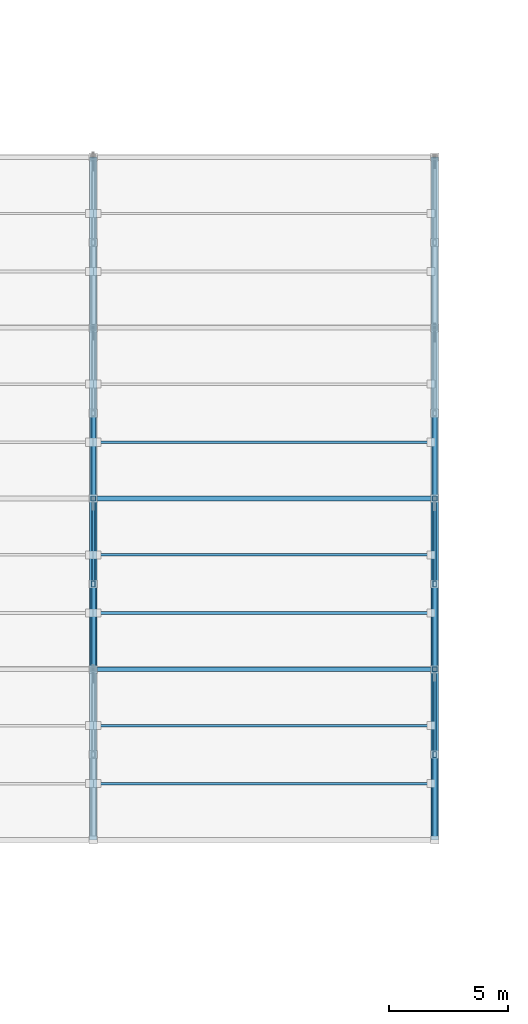
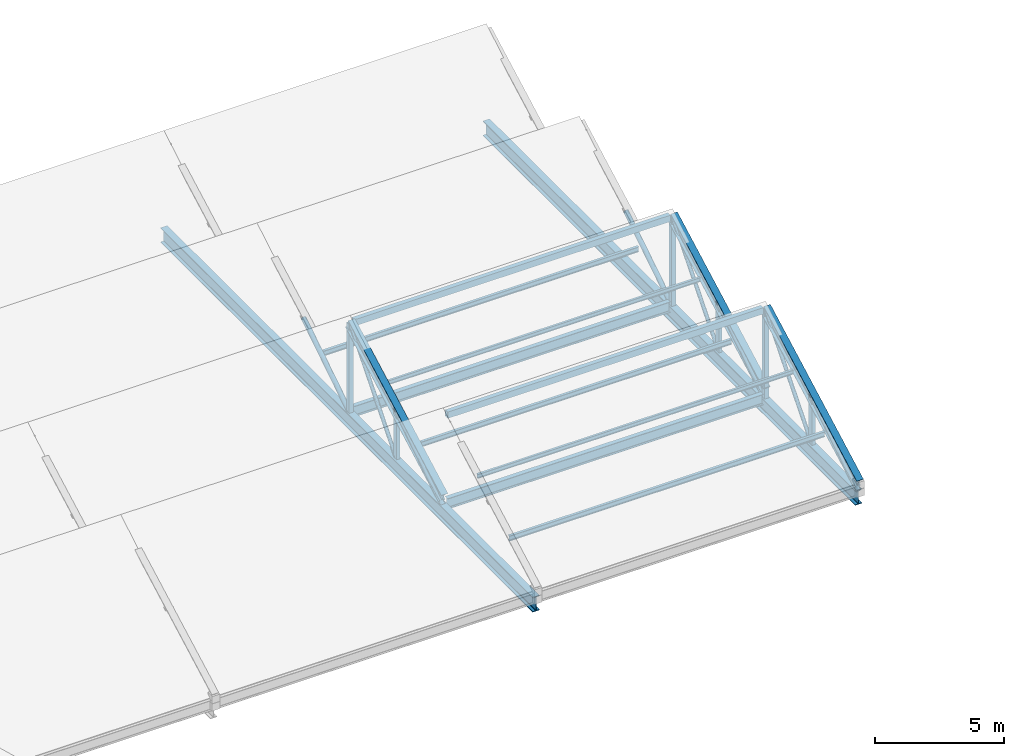
# One storey, part 17 of 51: 24 members, 4 beams.
"""IFC4 building model written with IfcOpenShell, lengths in metres."""

from ifc_helpers import new_model, si_unit, direction, frame, origin, origin_2d, place, context, subcontext, project, spatial, hollow_rectangle, hollow_circle, i_section, extrude, material, material_profile, profile_set, type_object, element, save


model = new_model("IFC4")

# Units and contexts
model_context = context("Model", 3, precision=1e-05, world=origin(), true_north=direction((0.0, 1.0)))
body_context = subcontext(model_context, "Body", "Model", "MODEL_VIEW")
ifc_project = project(units=[si_unit("LENGTHUNIT", "METRE"), si_unit("AREAUNIT", "SQUARE_METRE"), si_unit("VOLUMEUNIT", "CUBIC_METRE"), si_unit("PLANEANGLEUNIT", "RADIAN"), si_unit("MASSUNIT", "GRAM", prefix="KILO")], contexts=[model_context])

# Site, building, storey
site_placement = place(None, origin())
site = spatial("IfcSite", under=ifc_project, at=site_placement, CompositionType="ELEMENT")
building_placement = place(site_placement, origin())
building = spatial("IfcBuilding", under=site, at=building_placement, Name="Valkovuoma Quantum and Materials Research Institute", CompositionType="ELEMENT")
storey_placement = place(building_placement, frame((0.0, 0.0, 17.280029296875)))
storey = spatial("IfcBuildingStorey", under=building, at=storey_placement, Name="L04", CompositionType="ELEMENT", Elevation=17.280029296875)

# Beams
ifc_material_1 = material(Name="Steel S355J2", Category="steel")
ifc_material_profile_1 = material_profile(ifc_material_1, i_section(OverallWidth=0.300048828125, OverallDepth=0.699951171875, WebThickness=0.01708984375, FlangeThickness=0.031982421875, FilletRadius=0.027099609375, at=origin_2d()), Name="Steel S355J2")
ifc_profile_set_1 = profile_set([ifc_material_profile_1], Name="Steel S355J2")
beam_type_1 = type_object("IfcBeamType", Name="Beam-B-HEB700", PredefinedType="BEAM", material=ifc_profile_set_1)
for number, where, z_axis, x_axis, name in (
    (1, (86.39990234375, 36.0, -0.650146484375), (0.0, 1.0, 0.0), (-1.0, 0.0, 0.0), "L04 VOL2 sawtooth tie girder 4"),
    (2, (100.800048828125, 36.0, -0.650146484375), (0.0, 1.0, 0.0), (-1.0, 0.0, 0.0), "L04 VOL2 sawtooth tie girder 5"),
):
    element("IfcBeam", number, at=place(storey_placement, frame(where, z_axis=z_axis, x_axis=x_axis)), inside=storey, type_object=beam_type_1, Name=name, PredefinedType="BEAM", context=body_context, shape_type="SweptSolid", body=[
        extrude(i_section(OverallWidth=0.300048828125, OverallDepth=0.699951171875, WebThickness=0.01708984375, FlangeThickness=0.031982421875, FilletRadius=0.027099609375, at=origin_2d()), origin(), (0.0, 0.0, 1.0), 28.800048828125),
    ])
ifc_material_2 = material(Name="Steel S355J2", Category="steel")
ifc_material_profile_2 = material_profile(ifc_material_2, i_section(OverallWidth=0.199951171875, OverallDepth=0.5, WebThickness=0.01025390625, FlangeThickness=0.01611328125, FilletRadius=0.02099609375, at=origin_2d()), Name="Steel S355J2")
ifc_profile_set_2 = profile_set([ifc_material_profile_2], Name="Steel S355J2")
beam_type_2 = type_object("IfcBeamType", Name="Beam-B-IPE500", PredefinedType="BEAM", material=ifc_profile_set_2)
for number, where, z_axis, x_axis, name in (
    (3, (86.550048828125, 43.199951171875, -0.300048828125), (1.0, 0.0, 0.0), (0.0, 1.0, 0.0), "L04 VOL2 valley beam 2.4"),
    (4, (86.550048828125, 50.39990234375, -0.300048828125), (1.0, 0.0, 0.0), (0.0, 1.0, 0.0), "L04 VOL2 valley beam 3.4"),
):
    element("IfcBeam", number, at=place(storey_placement, frame(where, z_axis=z_axis, x_axis=x_axis)), inside=storey, type_object=beam_type_2, Name=name, PredefinedType="BEAM", context=body_context, shape_type="SweptSolid", body=[
        extrude(i_section(OverallWidth=0.199951171875, OverallDepth=0.5, WebThickness=0.01025390625, FlangeThickness=0.01611328125, FilletRadius=0.02099609375, at=origin_2d()), origin(), (0.0, 0.0, 1.0), 14.099853515625),
    ])

# Members
ifc_material_3 = material(Name="Steel S355J2H", Category="steel")
ifc_material_profile_3 = material_profile(ifc_material_3, hollow_circle(Radius=0.084228515625, WallThickness=0.008056640625, at=origin_2d()), Name="Steel S355J2H")
ifc_profile_set_3 = profile_set([ifc_material_profile_3], Name="Steel S355J2H")
member_type_1 = type_object("IfcMemberType", Name="Mem-M-BRC168", PredefinedType="BRACE", material=ifc_profile_set_3)
for number, where, z_axis, x_axis, name in (
    (5, (86.39990234375, 46.800048828125, -0.35009765625), (0.0, 0.647216384213, 0.762306337378), (-1.0, 0.0, 0.0), "L04 VOL2 sawtooth web brace 4.2B"),
    (6, (100.800048828125, 39.60009765625, -0.35009765625), (0.0, 0.647216384213, 0.762306337378), (-1.0, 0.0, 0.0), "L04 VOL2 sawtooth web brace 5.1B"),
    (7, (100.800048828125, 46.800048828125, -0.35009765625), (0.0, 0.647216384213, 0.762306337378), (-1.0, 0.0, 0.0), "L04 VOL2 sawtooth web brace 5.2B"),
):
    element("IfcMember", number, at=place(storey_placement, frame(where, z_axis=z_axis, x_axis=x_axis)), inside=storey, type_object=member_type_1, Name=name, PredefinedType="BRACE", context=body_context, shape_type="SweptSolid", body=[
        extrude(hollow_circle(Radius=0.084228515625, WallThickness=0.008056640625, at=origin_2d()), origin(), (0.0, 0.0, 1.0), 5.56201171875),
    ])
ifc_material_4 = material(Name="Steel S355J2H", Category="steel")
ifc_material_profile_4 = material_profile(ifc_material_4, hollow_circle(Radius=0.109619140625, WallThickness=0.010009765625, at=origin_2d()), Name="Steel S355J2H")
ifc_profile_set_4 = profile_set([ifc_material_profile_4], Name="Steel S355J2H")
member_type_2 = type_object("IfcMemberType", Name="Mem-M-BRC219", PredefinedType="BRACE", material=ifc_profile_set_4)
for number, where, z_axis, x_axis, name in (
    (8, (86.39990234375, 43.199951171875, -0.35009765625), (0.0, 0.843216181903, 0.537574618613), (-1.0, 0.0, 0.0), "L04 VOL2 sawtooth web brace 4.2A"),
    (9, (86.39990234375, 50.39990234375, -0.35009765625), (0.0, 0.843216181903, 0.537574618613), (-1.0, 0.0, 0.0), "L04 VOL2 sawtooth web brace 4.3A"),
    (10, (100.800048828125, 36.0, -0.35009765625), (0.0, 0.843216181903, 0.537574618613), (-1.0, 0.0, 0.0), "L04 VOL2 sawtooth web brace 5.1A"),
    (11, (100.800048828125, 43.199951171875, -0.35009765625), (0.0, 0.843216181903, 0.537574618613), (-1.0, 0.0, 0.0), "L04 VOL2 sawtooth web brace 5.2A"),
    (12, (100.800048828125, 50.39990234375, -0.35009765625), (0.0, 0.843216181903, 0.537574618613), (-1.0, 0.0, 0.0), "L04 VOL2 sawtooth web brace 5.3A"),
):
    element("IfcMember", number, at=place(storey_placement, frame(where, z_axis=z_axis, x_axis=x_axis)), inside=storey, type_object=member_type_2, Name=name, PredefinedType="BRACE", context=body_context, shape_type="SweptSolid", body=[
        extrude(hollow_circle(Radius=0.109619140625, WallThickness=0.010009765625, at=origin_2d()), origin(), (0.0, 0.0, 1.0), 4.26953125),
    ])
ifc_material_5 = material(Name="Steel S355J2H", Category="steel")
ifc_material_profile_5 = material_profile(ifc_material_5, hollow_rectangle(XDim=0.199951171875, YDim=0.300048828125, WallThickness=0.012451171875, at=origin_2d()), Name="Steel S355J2H")
ifc_profile_set_5 = profile_set([ifc_material_profile_5], Name="Steel S355J2H")
member_type_3 = type_object("IfcMemberType", Name="Mem-M-CHD300", PredefinedType="CHORD", material=ifc_profile_set_5)
for number, where, z_axis, x_axis, name in (
    (13, (86.550048828125, 43.199951171875, 3.889892578125), (1.0, 0.0, 0.0), (0.0, 1.0, 0.0), "L04 VOL2 ridge chord 1.4"),
    (14, (86.550048828125, 50.39990234375, 3.889892578125), (1.0, 0.0, 0.0), (0.0, 1.0, 0.0), "L04 VOL2 ridge chord 2.4"),
):
    element("IfcMember", number, at=place(storey_placement, frame(where, z_axis=z_axis, x_axis=x_axis)), inside=storey, type_object=member_type_3, Name=name, PredefinedType="CHORD", context=body_context, shape_type="SweptSolid", body=[
        extrude(hollow_rectangle(XDim=0.199951171875, YDim=0.300048828125, WallThickness=0.012451171875, at=origin_2d()), origin(), (0.0, 0.0, 1.0), 14.099853515625),
    ])
ifc_material_6 = material(Name="Steel S355J2", Category="steel")
ifc_material_profile_6 = material_profile(ifc_material_6, i_section(OverallWidth=0.300048828125, OverallDepth=0.5, WebThickness=0.014404296875, FlangeThickness=0.028076171875, FilletRadius=0.027099609375, at=origin_2d()), Name="Steel S355J2")
ifc_profile_set_6 = profile_set([ifc_material_profile_6], Name="Steel S355J2")
member_type_4 = type_object("IfcMemberType", Name="Mem-M-CHD500", PredefinedType="CHORD", material=ifc_profile_set_6)
for number, where, z_axis, x_axis, name in (
    (15, (86.39990234375, 43.199951171875, 0.0), (0.0, 0.879807342754, 0.475330453091), (-1.0, 0.0, 0.0), "L04 VOL2 sawtooth top chord 4.2"),
    (16, (100.800048828125, 36.0, 0.0), (0.0, 0.879807342754, 0.475330453091), (-1.0, 0.0, 0.0), "L04 VOL2 sawtooth top chord 5.1"),
    (17, (100.800048828125, 43.199951171875, 0.0), (0.0, 0.879807342754, 0.475330453091), (-1.0, 0.0, 0.0), "L04 VOL2 sawtooth top chord 5.2"),
):
    element("IfcMember", number, at=place(storey_placement, frame(where, z_axis=z_axis, x_axis=x_axis)), inside=storey, type_object=member_type_4, Name=name, PredefinedType="CHORD", context=body_context, shape_type="SweptSolid", body=[
        extrude(i_section(OverallWidth=0.300048828125, OverallDepth=0.5, WebThickness=0.014404296875, FlangeThickness=0.028076171875, FilletRadius=0.027099609375, at=origin_2d()), origin(), (0.0, 0.0, 1.0), 8.18359375),
    ])
ifc_material_7 = material(Name="Steel S355J2", Category="steel")
ifc_material_profile_7 = material_profile(ifc_material_7, i_section(OverallWidth=0.10009765625, OverallDepth=0.199951171875, WebThickness=0.005615234375, FlangeThickness=0.008544921875, FilletRadius=0.011962890625, at=origin_2d()), Name="Steel S355J2")
ifc_profile_set_7 = profile_set([ifc_material_profile_7], Name="Steel S355J2")
member_type_5 = type_object("IfcMemberType", Name="Mem-M-PRL200", PredefinedType="PURLIN", material=ifc_profile_set_7)
for number, where, z_axis, x_axis, name in (
    (18, (86.550048828125, 40.823974609375, 2.405517578125), (1.0, 0.0, 0.0), (0.0, 1.0, 0.0), "L04 VOL2 roof purlin 1.4.2"),
    (19, (86.550048828125, 48.02392578125, 2.405517578125), (1.0, 0.0, 0.0), (0.0, 1.0, 0.0), "L04 VOL2 roof purlin 2.4.2"),
):
    element("IfcMember", number, at=place(storey_placement, frame(where, z_axis=z_axis, x_axis=x_axis)), inside=storey, type_object=member_type_5, Name=name, PredefinedType="PURLIN", context=body_context, shape_type="SweptSolid", body=[
        extrude(i_section(OverallWidth=0.10009765625, OverallDepth=0.199951171875, WebThickness=0.005615234375, FlangeThickness=0.008544921875, FilletRadius=0.011962890625, at=origin_2d()), origin(), (0.0, 0.0, 1.0), 14.099853515625),
    ])
ifc_material_8 = material(Name="Steel S355J2", Category="steel")
ifc_material_profile_8 = material_profile(ifc_material_8, i_section(OverallWidth=0.1201171875, OverallDepth=0.239990234375, WebThickness=0.006103515625, FlangeThickness=0.009765625, FilletRadius=0.014892578125, at=origin_2d()), Name="Steel S355J2")
ifc_profile_set_8 = profile_set([ifc_material_profile_8], Name="Steel S355J2")
member_type_6 = type_object("IfcMemberType", Name="Mem-M-PRL240", PredefinedType="PURLIN", material=ifc_profile_set_8)
for number, where, z_axis, x_axis, name in (
    (20, (86.550048828125, 38.3759765625, 0.9638671875), (1.0, 0.0, 0.0), (0.0, 1.0, 0.0), "L04 VOL2 roof purlin 1.4.1"),
    (21, (86.550048828125, 45.575927734375, 0.9638671875), (1.0, 0.0, 0.0), (0.0, 1.0, 0.0), "L04 VOL2 roof purlin 2.4.1"),
    (22, (86.550048828125, 52.77587890625, 0.9638671875), (1.0, 0.0, 0.0), (0.0, 1.0, 0.0), "L04 VOL2 roof purlin 3.4.1"),
):
    element("IfcMember", number, at=place(storey_placement, frame(where, z_axis=z_axis, x_axis=x_axis)), inside=storey, type_object=member_type_6, Name=name, PredefinedType="PURLIN", context=body_context, shape_type="SweptSolid", body=[
        extrude(i_section(OverallWidth=0.1201171875, OverallDepth=0.239990234375, WebThickness=0.006103515625, FlangeThickness=0.009765625, FilletRadius=0.014892578125, at=origin_2d()), origin(), (0.0, 0.0, 1.0), 14.099853515625),
    ])
ifc_material_9 = material(Name="Steel S355J2H", Category="steel")
ifc_material_profile_9 = material_profile(ifc_material_9, hollow_rectangle(XDim=0.199951171875, YDim=0.199951171875, WallThickness=0.010009765625, at=origin_2d()), Name="Steel S355J2H")
ifc_profile_set_9 = profile_set([ifc_material_profile_9], Name="Steel S355J2H")
member_type_7 = type_object("IfcMemberType", Name="Mem-M-STR200", PredefinedType="STRUT", material=ifc_profile_set_9)
for number, where, z_axis, x_axis, name in (
    (23, (86.39990234375, 50.39990234375, -0.35009765625), (0.0, 0.0, 1.0), (1.0, 0.0, 0.0), "L04 VOL2 sawtooth north post 4.2"),
    (24, (100.800048828125, 43.199951171875, -0.35009765625), (0.0, 0.0, 1.0), (1.0, 0.0, 0.0), "L04 VOL2 sawtooth north post 5.1"),
    (25, (100.800048828125, 50.39990234375, -0.35009765625), (0.0, 0.0, 1.0), (1.0, 0.0, 0.0), "L04 VOL2 sawtooth north post 5.2"),
):
    element("IfcMember", number, at=place(storey_placement, frame(where, z_axis=z_axis, x_axis=x_axis)), inside=storey, type_object=member_type_7, Name=name, PredefinedType="STRUT", context=body_context, shape_type="SweptSolid", body=[
        extrude(hollow_rectangle(XDim=0.199951171875, YDim=0.199951171875, WallThickness=0.010009765625, at=origin_2d()), origin(), (0.0, 0.0, 1.0), 4.239990234375),
    ])
ifc_material_10 = material(Name="Steel S355J2H", Category="steel")
ifc_material_profile_10 = material_profile(ifc_material_10, hollow_rectangle(XDim=0.14990234375, YDim=0.25, WallThickness=0.010009765625, at=origin_2d()), Name="Steel S355J2H")
ifc_profile_set_10 = profile_set([ifc_material_profile_10], Name="Steel S355J2H")
member_type_8 = type_object("IfcMemberType", Name="Mem-M-STR250R", PredefinedType="STRUT", material=ifc_profile_set_10)
for number, where, z_axis, x_axis, name in (
    (26, (86.39990234375, 46.800048828125, -0.35009765625), (0.0, 0.0, 1.0), (1.0, 0.0, 0.0), "L04 VOL2 sawtooth mid strut 4.2"),
    (27, (100.800048828125, 39.60009765625, -0.35009765625), (0.0, 0.0, 1.0), (1.0, 0.0, 0.0), "L04 VOL2 sawtooth mid strut 5.1"),
    (28, (100.800048828125, 46.800048828125, -0.35009765625), (0.0, 0.0, 1.0), (1.0, 0.0, 0.0), "L04 VOL2 sawtooth mid strut 5.2"),
):
    element("IfcMember", number, at=place(storey_placement, frame(where, z_axis=z_axis, x_axis=x_axis)), inside=storey, type_object=member_type_8, Name=name, PredefinedType="STRUT", context=body_context, shape_type="SweptSolid", body=[
        extrude(hollow_rectangle(XDim=0.14990234375, YDim=0.25, WallThickness=0.010009765625, at=origin_2d()), origin(), (0.0, 0.0, 1.0), 2.295166015625),
    ])

save(model, "model.ifc")
